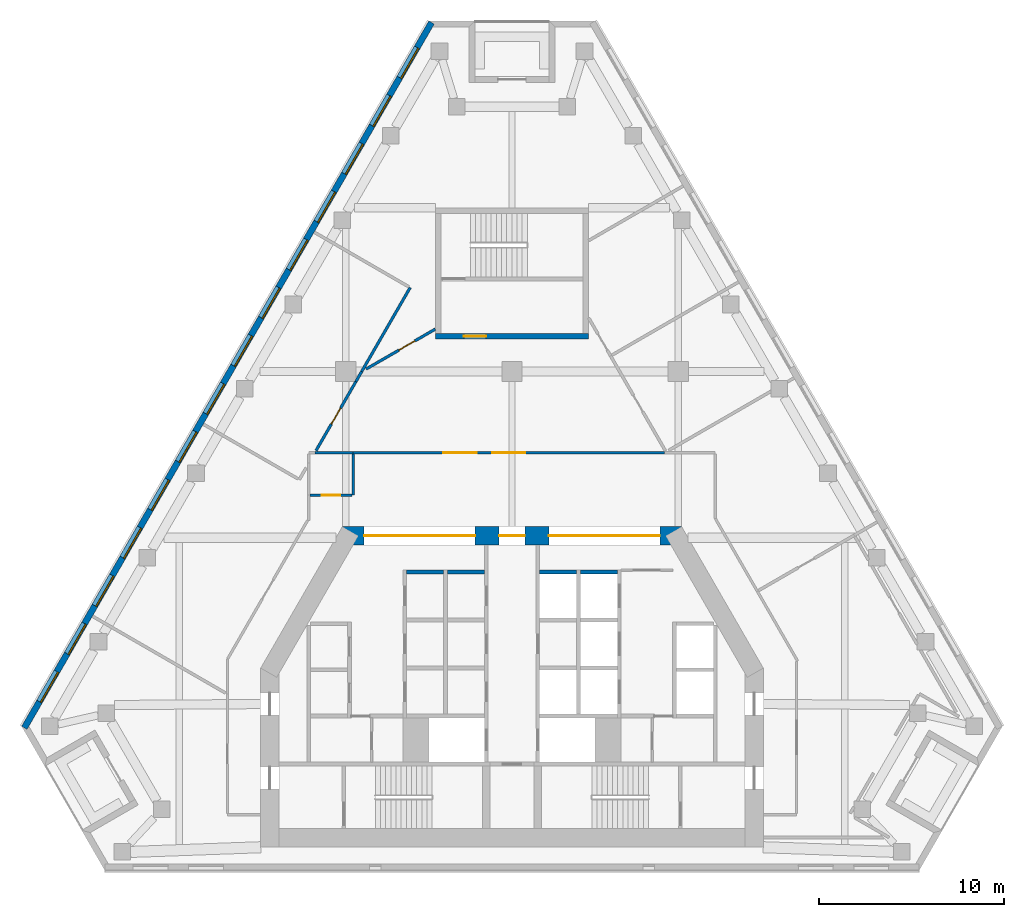
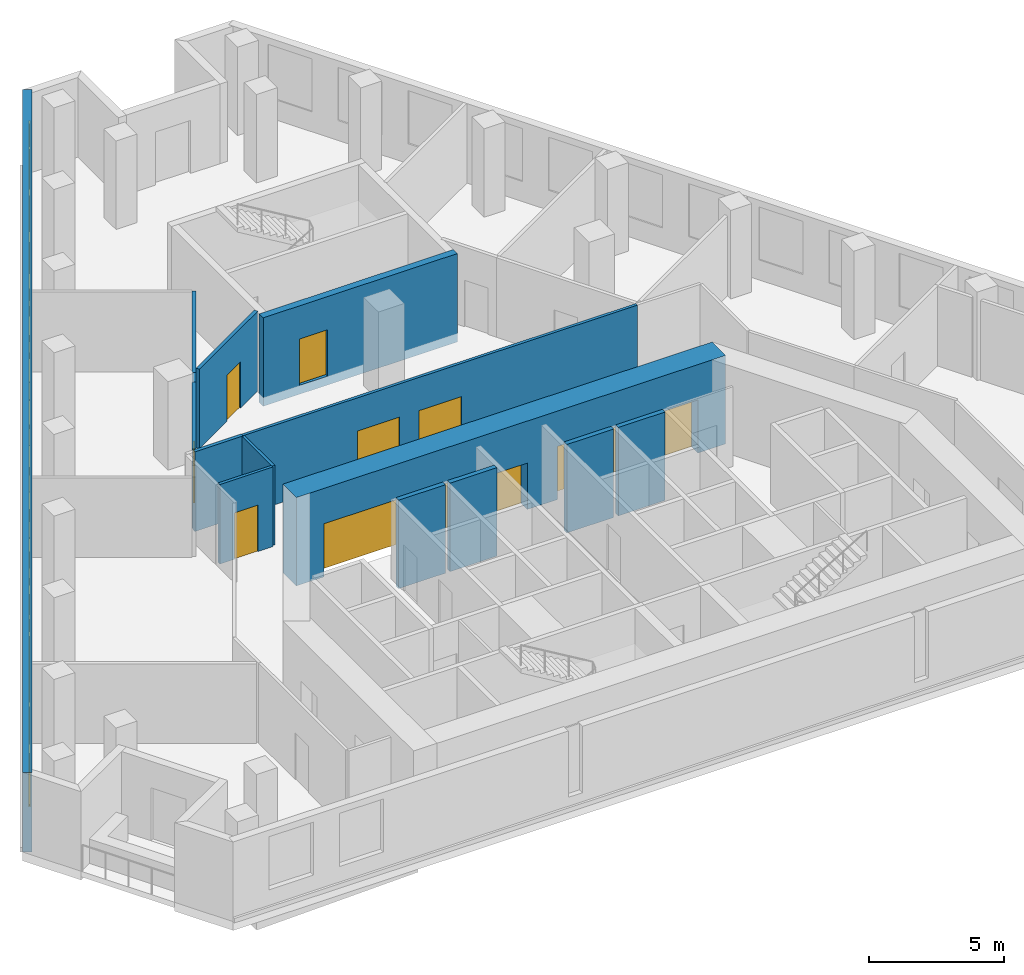
# One storey, part 4 of 8: 15 walls, 14 windows, 9 doors, 23 openings.
"""IFC4 building model written with IfcOpenShell, lengths in metres."""

from ifc_helpers import new_model, si_unit, direction, frame, frame_2d, origin, place, context, subcontext, project, spatial, rectangle, extrude, material, layer, layer_set, type_object, element, fill, save


model = new_model("IFC4")

# Units and contexts
model_context = context("Model", 3, precision=1e-05, world=origin(), true_north=direction((0.0, 1.0)))
body_context = subcontext(model_context, "Body", "Model", "MODEL_VIEW")
ifc_project = project(units=[si_unit("LENGTHUNIT", "METRE"), si_unit("AREAUNIT", "SQUARE_METRE"), si_unit("VOLUMEUNIT", "CUBIC_METRE"), si_unit("PLANEANGLEUNIT", "RADIAN"), si_unit("MASSUNIT", "GRAM", prefix="KILO")], contexts=[model_context])

# Site, building, storey
site_placement = place(None, origin())
site = spatial("IfcSite", under=ifc_project, at=site_placement, CompositionType="ELEMENT")
building_placement = place(site_placement, origin())
building = spatial("IfcBuilding", under=site, at=building_placement, Name="Fogline Exchange Tower", CompositionType="ELEMENT")
storey_placement = place(building_placement, frame((0.0, 0.0, 239.5)))
storey = spatial("IfcBuildingStorey", under=building, at=storey_placement, Name="L54", CompositionType="ELEMENT", Elevation=239.5)

# Walls
ifc_material_1 = material(Name="Concrete C40", Category="concrete")
ifc_layer_1 = layer(ifc_material_1, 0.199951171875)
ifc_layer_set_1 = layer_set([ifc_layer_1], Name="CW20S")
wall_type_1 = type_object("IfcWallType", Name="CW20S", PredefinedType="SOLIDWALL", material=ifc_layer_set_1)
for number, where, z_axis, x_axis, name in (
    (1, (-5.699951171875, 16.14990234375, -0.39990234375), (0.0, 0.0, 1.0), (1.0, 0.0, 0.0), "Lift shaft wall"),
    (2, (-3.5, 16.14990234375, -0.39990234375), (0.0, 0.0, 1.0), (1.0, 0.0, 0.0), "Lift shaft wall"),
    (3, (3.699951171875, 16.14990234375, -0.39990234375), (0.0, 0.0, 1.0), (1.0, 0.0, 0.0), "Lift shaft wall"),
    (4, (1.5, 16.14990234375, -0.39990234375), (0.0, 0.0, 1.0), (1.0, 0.0, 0.0), "Lift shaft wall"),
):
    element("IfcWall", number, at=place(storey_placement, frame(where, z_axis=z_axis, x_axis=x_axis)), inside=storey, type_object=wall_type_1, Name=name, PredefinedType="SOLIDWALL", context=body_context, shape_type="SweptSolid", body=[
        extrude(rectangle(XDim=2.0, YDim=0.199951171875, at=frame_2d((1.0, 0.0))), origin(), (0.0, 0.0, 1.0), 4.0),
    ])

# Wall, opening, door
ifc_layer_2 = layer(ifc_material_1, 0.300048828125)
ifc_layer_set_2 = layer_set([ifc_layer_2], Name="CW30")
wall_type_2 = type_object("IfcWallType", Name="CW30", PredefinedType="SOLIDWALL", material=ifc_layer_set_2)
wall_1_placement = place(storey_placement, frame((-4.14990234375, 28.906982421875, -0.39990234375), z_axis=(0.0, 0.0, 1.0), x_axis=(1.0, 0.0, 0.0)))
wall_1 = element("IfcWall", 5, at=wall_1_placement, inside=storey, type_object=wall_type_2, Name="Stair enclosure wall ST3", PredefinedType="SOLIDWALL", context=body_context, shape_type="SweptSolid", body=[
    extrude(rectangle(XDim=8.2998046875, YDim=0.300048828125, at=frame_2d((4.14990234375, 0.0))), origin(), (0.0, 0.0, 1.0), 4.0),
])
opening_1_placement = place(wall_1_placement, frame((1.550048828125, 0.0, 0.39990234375)))
opening_1 = element("IfcOpeningElement", 6, at=opening_1_placement, cuts=wall_1, Name="Opening T17-C025", PredefinedType="OPENING", context=body_context, shape_type="SweptSolid", body=[
    extrude(rectangle(XDim=1.199951171875, YDim=2.10009765625, at=frame_2d((0.60009765625, 1.050048828125))), frame((0.0, 0.16015625, 0.0), z_axis=(0.0, -1.0, 0.0), x_axis=(1.0, 0.0, 0.0)), (0.0, 0.0, 1.0), 0.320068359375),
])
ifc_material_2 = material(Name="Steel and timber fire door", Category="steel")
door_type_1 = type_object("IfcDoorType", Name="D-FR1", OperationType="SINGLE_SWING_RIGHT", PredefinedType="DOOR", material=ifc_material_2)
door_1_placement = place(opening_1_placement, origin())
door_1 = element("IfcDoor", 7, at=door_1_placement, inside=storey, type_object=door_type_1, Name="Front room door ST3", OperationType="SINGLE_SWING_LEFT", OverallHeight=2.10009765625, OverallWidth=1.199951171875, PredefinedType="DOOR", context=body_context, shape_type="SweptSolid", body=[
    extrude(rectangle(XDim=1.199951171875, YDim=2.10009765625, at=frame_2d((0.60009765625, 1.050048828125))), frame((0.0, 0.02490234375, 0.0), z_axis=(0.0, -1.0, 0.0), x_axis=(1.0, 0.0, 0.0)), (0.0, 0.0, 1.0), 0.050048828125),
])
fill(opening_1, door_1)

# Wall, openings, windows
ifc_material_3 = material(Name="Brick masonry", Category="masonry")
ifc_layer_3 = layer(ifc_material_3, 0.340087890625)
ifc_layer_set_3 = layer_set([ifc_layer_3], Name="FW1")
wall_type_3 = type_object("IfcWallType", Name="FW1", PredefinedType="SOLIDWALL", material=ifc_layer_set_3)
wall_2_placement = place(storey_placement, frame((-4.352783203125, 45.88671875, 0.0), z_axis=(0.0, 0.0, 1.0), x_axis=(-0.499999383836, -0.866025759527, 0.0)))
wall_2 = element("IfcWall", 8, at=wall_2_placement, inside=storey, type_object=wall_type_3, Name="Brick wall L54 W", PredefinedType="SOLIDWALL", context=body_context, shape_type="SweptSolid", body=[
    extrude(rectangle(XDim=44.08349609375, YDim=0.340087890625, at=frame_2d((22.041748046875, 0.0))), origin(), (0.0, 0.0, 1.0), 3.60009765625),
])
opening_2_placement = place(wall_2_placement, frame((1.5625, 0.0, 0.89990234375)))
opening_2 = element("IfcOpeningElement", 9, at=opening_2_placement, cuts=wall_2, Name="Opening W1", PredefinedType="OPENING", context=body_context, shape_type="SweptSolid", body=[
    extrude(rectangle(XDim=1.885009765625, YDim=2.39990234375, at=frame_2d((0.9423828125, 1.199951171875))), frame((0.0, 0.18017578125, 0.0), z_axis=(0.0, -1.0, 0.0), x_axis=(1.0, 0.0, 0.0)), (0.0, 0.0, 1.0), 0.360107421875),
])
opening_3_placement = place(wall_2_placement, frame((4.5625, 0.0, 0.89990234375)))
opening_3 = element("IfcOpeningElement", 10, at=opening_3_placement, cuts=wall_2, Name="Opening W1", PredefinedType="OPENING", context=body_context, shape_type="SweptSolid", body=[
    extrude(rectangle(XDim=1.885009765625, YDim=2.39990234375, at=frame_2d((0.9423828125, 1.199951171875))), frame((0.0, 0.18017578125, 0.0), z_axis=(0.0, -1.0, 0.0), x_axis=(1.0, 0.0, 0.0)), (0.0, 0.0, 1.0), 0.360107421875),
])
opening_4_placement = place(wall_2_placement, frame((7.5625, 0.0, 0.89990234375)))
opening_4 = element("IfcOpeningElement", 11, at=opening_4_placement, cuts=wall_2, Name="Opening W1", PredefinedType="OPENING", context=body_context, shape_type="SweptSolid", body=[
    extrude(rectangle(XDim=1.885009765625, YDim=2.39990234375, at=frame_2d((0.9423828125, 1.199951171875))), frame((0.0, 0.18017578125, 0.0), z_axis=(0.0, -1.0, 0.0), x_axis=(1.0, 0.0, 0.0)), (0.0, 0.0, 1.0), 0.360107421875),
])
opening_5_placement = place(wall_2_placement, frame((10.5625, 0.0, 0.89990234375)))
opening_5 = element("IfcOpeningElement", 12, at=opening_5_placement, cuts=wall_2, Name="Opening W1", PredefinedType="OPENING", context=body_context, shape_type="SweptSolid", body=[
    extrude(rectangle(XDim=1.885009765625, YDim=2.39990234375, at=frame_2d((0.9423828125, 1.199951171875))), frame((0.0, 0.18017578125, 0.0), z_axis=(0.0, -1.0, 0.0), x_axis=(1.0, 0.0, 0.0)), (0.0, 0.0, 1.0), 0.360107421875),
])
opening_6_placement = place(wall_2_placement, frame((13.5625, 0.0, 0.89990234375)))
opening_6 = element("IfcOpeningElement", 13, at=opening_6_placement, cuts=wall_2, Name="Opening W1", PredefinedType="OPENING", context=body_context, shape_type="SweptSolid", body=[
    extrude(rectangle(XDim=1.885009765625, YDim=2.39990234375, at=frame_2d((0.9423828125, 1.199951171875))), frame((0.0, 0.18017578125, 0.0), z_axis=(0.0, -1.0, 0.0), x_axis=(1.0, 0.0, 0.0)), (0.0, 0.0, 1.0), 0.360107421875),
])
opening_7_placement = place(wall_2_placement, frame((16.5625, 0.0, 0.89990234375)))
opening_7 = element("IfcOpeningElement", 14, at=opening_7_placement, cuts=wall_2, Name="Opening W1", PredefinedType="OPENING", context=body_context, shape_type="SweptSolid", body=[
    extrude(rectangle(XDim=1.885009765625, YDim=2.39990234375, at=frame_2d((0.9423828125, 1.199951171875))), frame((0.0, 0.18017578125, 0.0), z_axis=(0.0, -1.0, 0.0), x_axis=(1.0, 0.0, 0.0)), (0.0, 0.0, 1.0), 0.360107421875),
])
opening_8_placement = place(wall_2_placement, frame((19.5625, 0.0, 0.89990234375)))
opening_8 = element("IfcOpeningElement", 15, at=opening_8_placement, cuts=wall_2, Name="Opening W1", PredefinedType="OPENING", context=body_context, shape_type="SweptSolid", body=[
    extrude(rectangle(XDim=1.885009765625, YDim=2.39990234375, at=frame_2d((0.9423828125, 1.199951171875))), frame((0.0, 0.18017578125, 0.0), z_axis=(0.0, -1.0, 0.0), x_axis=(1.0, 0.0, 0.0)), (0.0, 0.0, 1.0), 0.360107421875),
])
opening_9_placement = place(wall_2_placement, frame((22.5625, 0.0, 0.89990234375)))
opening_9 = element("IfcOpeningElement", 16, at=opening_9_placement, cuts=wall_2, Name="Opening W1", PredefinedType="OPENING", context=body_context, shape_type="SweptSolid", body=[
    extrude(rectangle(XDim=1.885009765625, YDim=2.39990234375, at=frame_2d((0.9423828125, 1.199951171875))), frame((0.0, 0.18017578125, 0.0), z_axis=(0.0, -1.0, 0.0), x_axis=(1.0, 0.0, 0.0)), (0.0, 0.0, 1.0), 0.360107421875),
])
opening_10_placement = place(wall_2_placement, frame((25.5625, 0.0, 0.89990234375)))
opening_10 = element("IfcOpeningElement", 17, at=opening_10_placement, cuts=wall_2, Name="Opening W1", PredefinedType="OPENING", context=body_context, shape_type="SweptSolid", body=[
    extrude(rectangle(XDim=1.885009765625, YDim=2.39990234375, at=frame_2d((0.9423828125, 1.199951171875))), frame((0.0, 0.18017578125, 0.0), z_axis=(0.0, -1.0, 0.0), x_axis=(1.0, 0.0, 0.0)), (0.0, 0.0, 1.0), 0.360107421875),
])
opening_11_placement = place(wall_2_placement, frame((28.5625, 0.0, 0.89990234375)))
opening_11 = element("IfcOpeningElement", 18, at=opening_11_placement, cuts=wall_2, Name="Opening W1", PredefinedType="OPENING", context=body_context, shape_type="SweptSolid", body=[
    extrude(rectangle(XDim=1.885009765625, YDim=2.39990234375, at=frame_2d((0.9423828125, 1.199951171875))), frame((0.0, 0.18017578125, 0.0), z_axis=(0.0, -1.0, 0.0), x_axis=(1.0, 0.0, 0.0)), (0.0, 0.0, 1.0), 0.360107421875),
])
opening_12_placement = place(wall_2_placement, frame((31.5625, 0.0, 0.89990234375)))
opening_12 = element("IfcOpeningElement", 19, at=opening_12_placement, cuts=wall_2, Name="Opening W1", PredefinedType="OPENING", context=body_context, shape_type="SweptSolid", body=[
    extrude(rectangle(XDim=1.885009765625, YDim=2.39990234375, at=frame_2d((0.9423828125, 1.199951171875))), frame((0.0, 0.18017578125, 0.0), z_axis=(0.0, -1.0, 0.0), x_axis=(1.0, 0.0, 0.0)), (0.0, 0.0, 1.0), 0.360107421875),
])
opening_13_placement = place(wall_2_placement, frame((34.5625, 0.0, 0.89990234375)))
opening_13 = element("IfcOpeningElement", 20, at=opening_13_placement, cuts=wall_2, Name="Opening W1", PredefinedType="OPENING", context=body_context, shape_type="SweptSolid", body=[
    extrude(rectangle(XDim=1.885009765625, YDim=2.39990234375, at=frame_2d((0.9423828125, 1.199951171875))), frame((0.0, 0.18017578125, 0.0), z_axis=(0.0, -1.0, 0.0), x_axis=(1.0, 0.0, 0.0)), (0.0, 0.0, 1.0), 0.360107421875),
])
opening_14_placement = place(wall_2_placement, frame((37.5625, 0.0, 0.89990234375)))
opening_14 = element("IfcOpeningElement", 21, at=opening_14_placement, cuts=wall_2, Name="Opening W1", PredefinedType="OPENING", context=body_context, shape_type="SweptSolid", body=[
    extrude(rectangle(XDim=1.885009765625, YDim=2.39990234375, at=frame_2d((0.9423828125, 1.199951171875))), frame((0.0, 0.18017578125, 0.0), z_axis=(0.0, -1.0, 0.0), x_axis=(1.0, 0.0, 0.0)), (0.0, 0.0, 1.0), 0.360107421875),
])
opening_15_placement = place(wall_2_placement, frame((40.5625, 0.0, 0.89990234375)))
opening_15 = element("IfcOpeningElement", 22, at=opening_15_placement, cuts=wall_2, Name="Opening W1", PredefinedType="OPENING", context=body_context, shape_type="SweptSolid", body=[
    extrude(rectangle(XDim=1.885009765625, YDim=2.39990234375, at=frame_2d((0.9423828125, 1.199951171875))), frame((0.0, 0.18017578125, 0.0), z_axis=(0.0, -1.0, 0.0), x_axis=(1.0, 0.0, 0.0)), (0.0, 0.0, 1.0), 0.360107421875),
])
ifc_material_4 = material(Name="Aluminium and glass", Category="aluminium")
window_type = type_object("IfcWindowType", Name="W1", PartitioningType="SINGLE_PANEL", PredefinedType="WINDOW", material=ifc_material_4)
window_1_placement = place(opening_2_placement, origin())
window_1 = element("IfcWindow", 23, at=window_1_placement, inside=storey, type_object=window_type, Name="W1 W1", OverallHeight=2.39990234375, OverallWidth=1.885009765625, PartitioningType="SINGLE_PANEL", PredefinedType="WINDOW", context=body_context, shape_type="SweptSolid", body=[
    extrude(rectangle(XDim=1.885009765625, YDim=2.39990234375, at=frame_2d((0.9423828125, 1.199951171875))), frame((0.0, 0.110107421875, 0.0), z_axis=(0.0, -1.0, 0.0), x_axis=(1.0, 0.0, 0.0)), (0.0, 0.0, 1.0), 0.06005859375),
])
fill(opening_2, window_1)
window_2_placement = place(opening_3_placement, origin())
window_2 = element("IfcWindow", 24, at=window_2_placement, inside=storey, type_object=window_type, Name="W1 W1", OverallHeight=2.39990234375, OverallWidth=1.885009765625, PartitioningType="SINGLE_PANEL", PredefinedType="WINDOW", context=body_context, shape_type="SweptSolid", body=[
    extrude(rectangle(XDim=1.885009765625, YDim=2.39990234375, at=frame_2d((0.9423828125, 1.199951171875))), frame((0.0, 0.110107421875, 0.0), z_axis=(0.0, -1.0, 0.0), x_axis=(1.0, 0.0, 0.0)), (0.0, 0.0, 1.0), 0.06005859375),
])
fill(opening_3, window_2)
window_3_placement = place(opening_4_placement, origin())
window_3 = element("IfcWindow", 25, at=window_3_placement, inside=storey, type_object=window_type, Name="W1 W1", OverallHeight=2.39990234375, OverallWidth=1.885009765625, PartitioningType="SINGLE_PANEL", PredefinedType="WINDOW", context=body_context, shape_type="SweptSolid", body=[
    extrude(rectangle(XDim=1.885009765625, YDim=2.39990234375, at=frame_2d((0.9423828125, 1.199951171875))), frame((0.0, 0.110107421875, 0.0), z_axis=(0.0, -1.0, 0.0), x_axis=(1.0, 0.0, 0.0)), (0.0, 0.0, 1.0), 0.06005859375),
])
fill(opening_4, window_3)
window_4_placement = place(opening_5_placement, origin())
window_4 = element("IfcWindow", 26, at=window_4_placement, inside=storey, type_object=window_type, Name="W1 W1", OverallHeight=2.39990234375, OverallWidth=1.885009765625, PartitioningType="SINGLE_PANEL", PredefinedType="WINDOW", context=body_context, shape_type="SweptSolid", body=[
    extrude(rectangle(XDim=1.885009765625, YDim=2.39990234375, at=frame_2d((0.9423828125, 1.199951171875))), frame((0.0, 0.110107421875, 0.0), z_axis=(0.0, -1.0, 0.0), x_axis=(1.0, 0.0, 0.0)), (0.0, 0.0, 1.0), 0.06005859375),
])
fill(opening_5, window_4)
window_5_placement = place(opening_6_placement, origin())
window_5 = element("IfcWindow", 27, at=window_5_placement, inside=storey, type_object=window_type, Name="W1 W1", OverallHeight=2.39990234375, OverallWidth=1.885009765625, PartitioningType="SINGLE_PANEL", PredefinedType="WINDOW", context=body_context, shape_type="SweptSolid", body=[
    extrude(rectangle(XDim=1.885009765625, YDim=2.39990234375, at=frame_2d((0.9423828125, 1.199951171875))), frame((0.0, 0.110107421875, 0.0), z_axis=(0.0, -1.0, 0.0), x_axis=(1.0, 0.0, 0.0)), (0.0, 0.0, 1.0), 0.06005859375),
])
fill(opening_6, window_5)
window_6_placement = place(opening_7_placement, origin())
window_6 = element("IfcWindow", 28, at=window_6_placement, inside=storey, type_object=window_type, Name="W1 W1", OverallHeight=2.39990234375, OverallWidth=1.885009765625, PartitioningType="SINGLE_PANEL", PredefinedType="WINDOW", context=body_context, shape_type="SweptSolid", body=[
    extrude(rectangle(XDim=1.885009765625, YDim=2.39990234375, at=frame_2d((0.9423828125, 1.199951171875))), frame((0.0, 0.110107421875, 0.0), z_axis=(0.0, -1.0, 0.0), x_axis=(1.0, 0.0, 0.0)), (0.0, 0.0, 1.0), 0.06005859375),
])
fill(opening_7, window_6)
window_7_placement = place(opening_8_placement, origin())
window_7 = element("IfcWindow", 29, at=window_7_placement, inside=storey, type_object=window_type, Name="W1 W1", OverallHeight=2.39990234375, OverallWidth=1.885009765625, PartitioningType="SINGLE_PANEL", PredefinedType="WINDOW", context=body_context, shape_type="SweptSolid", body=[
    extrude(rectangle(XDim=1.885009765625, YDim=2.39990234375, at=frame_2d((0.9423828125, 1.199951171875))), frame((0.0, 0.110107421875, 0.0), z_axis=(0.0, -1.0, 0.0), x_axis=(1.0, 0.0, 0.0)), (0.0, 0.0, 1.0), 0.06005859375),
])
fill(opening_8, window_7)
window_8_placement = place(opening_9_placement, origin())
window_8 = element("IfcWindow", 30, at=window_8_placement, inside=storey, type_object=window_type, Name="W1 W1", OverallHeight=2.39990234375, OverallWidth=1.885009765625, PartitioningType="SINGLE_PANEL", PredefinedType="WINDOW", context=body_context, shape_type="SweptSolid", body=[
    extrude(rectangle(XDim=1.885009765625, YDim=2.39990234375, at=frame_2d((0.9423828125, 1.199951171875))), frame((0.0, 0.110107421875, 0.0), z_axis=(0.0, -1.0, 0.0), x_axis=(1.0, 0.0, 0.0)), (0.0, 0.0, 1.0), 0.06005859375),
])
fill(opening_9, window_8)
window_9_placement = place(opening_10_placement, origin())
window_9 = element("IfcWindow", 31, at=window_9_placement, inside=storey, type_object=window_type, Name="W1 W1", OverallHeight=2.39990234375, OverallWidth=1.885009765625, PartitioningType="SINGLE_PANEL", PredefinedType="WINDOW", context=body_context, shape_type="SweptSolid", body=[
    extrude(rectangle(XDim=1.885009765625, YDim=2.39990234375, at=frame_2d((0.9423828125, 1.199951171875))), frame((0.0, 0.110107421875, 0.0), z_axis=(0.0, -1.0, 0.0), x_axis=(1.0, 0.0, 0.0)), (0.0, 0.0, 1.0), 0.06005859375),
])
fill(opening_10, window_9)
window_10_placement = place(opening_11_placement, origin())
window_10 = element("IfcWindow", 32, at=window_10_placement, inside=storey, type_object=window_type, Name="W1 W1", OverallHeight=2.39990234375, OverallWidth=1.885009765625, PartitioningType="SINGLE_PANEL", PredefinedType="WINDOW", context=body_context, shape_type="SweptSolid", body=[
    extrude(rectangle(XDim=1.885009765625, YDim=2.39990234375, at=frame_2d((0.9423828125, 1.199951171875))), frame((0.0, 0.110107421875, 0.0), z_axis=(0.0, -1.0, 0.0), x_axis=(1.0, 0.0, 0.0)), (0.0, 0.0, 1.0), 0.06005859375),
])
fill(opening_11, window_10)
window_11_placement = place(opening_12_placement, origin())
window_11 = element("IfcWindow", 33, at=window_11_placement, inside=storey, type_object=window_type, Name="W1 W1", OverallHeight=2.39990234375, OverallWidth=1.885009765625, PartitioningType="SINGLE_PANEL", PredefinedType="WINDOW", context=body_context, shape_type="SweptSolid", body=[
    extrude(rectangle(XDim=1.885009765625, YDim=2.39990234375, at=frame_2d((0.9423828125, 1.199951171875))), frame((0.0, 0.110107421875, 0.0), z_axis=(0.0, -1.0, 0.0), x_axis=(1.0, 0.0, 0.0)), (0.0, 0.0, 1.0), 0.06005859375),
])
fill(opening_12, window_11)
window_12_placement = place(opening_13_placement, origin())
window_12 = element("IfcWindow", 34, at=window_12_placement, inside=storey, type_object=window_type, Name="W1 W1", OverallHeight=2.39990234375, OverallWidth=1.885009765625, PartitioningType="SINGLE_PANEL", PredefinedType="WINDOW", context=body_context, shape_type="SweptSolid", body=[
    extrude(rectangle(XDim=1.885009765625, YDim=2.39990234375, at=frame_2d((0.9423828125, 1.199951171875))), frame((0.0, 0.110107421875, 0.0), z_axis=(0.0, -1.0, 0.0), x_axis=(1.0, 0.0, 0.0)), (0.0, 0.0, 1.0), 0.06005859375),
])
fill(opening_13, window_12)
window_13_placement = place(opening_14_placement, origin())
window_13 = element("IfcWindow", 35, at=window_13_placement, inside=storey, type_object=window_type, Name="W1 W1", OverallHeight=2.39990234375, OverallWidth=1.885009765625, PartitioningType="SINGLE_PANEL", PredefinedType="WINDOW", context=body_context, shape_type="SweptSolid", body=[
    extrude(rectangle(XDim=1.885009765625, YDim=2.39990234375, at=frame_2d((0.9423828125, 1.199951171875))), frame((0.0, 0.110107421875, 0.0), z_axis=(0.0, -1.0, 0.0), x_axis=(1.0, 0.0, 0.0)), (0.0, 0.0, 1.0), 0.06005859375),
])
fill(opening_14, window_13)
window_14_placement = place(opening_15_placement, origin())
window_14 = element("IfcWindow", 36, at=window_14_placement, inside=storey, type_object=window_type, Name="W1 W1", OverallHeight=2.39990234375, OverallWidth=1.885009765625, PartitioningType="SINGLE_PANEL", PredefinedType="WINDOW", context=body_context, shape_type="SweptSolid", body=[
    extrude(rectangle(XDim=1.885009765625, YDim=2.39990234375, at=frame_2d((0.9423828125, 1.199951171875))), frame((0.0, 0.110107421875, 0.0), z_axis=(0.0, -1.0, 0.0), x_axis=(1.0, 0.0, 0.0)), (0.0, 0.0, 1.0), 0.06005859375),
])
fill(opening_15, window_14)

# Wall, openings, doors
ifc_material_5 = material(Name="Plasterboard corridor partition with mineral wool, 2 layers each side")
ifc_layer_4 = layer(ifc_material_5, 0.125)
ifc_layer_set_4 = layer_set([ifc_layer_4], Name="PW2")
wall_type_4 = type_object("IfcWallType", Name="PW2", PredefinedType="PARTITIONING", material=ifc_layer_set_4)
wall_3_placement = place(storey_placement, frame((-8.60009765625, 22.60009765625, 0.0), z_axis=(0.0, 0.0, 1.0), x_axis=(1.0, 0.0, 0.0)))
wall_3 = element("IfcWall", 37, at=wall_3_placement, inside=storey, type_object=wall_type_4, Name="wall-L54-W007", PredefinedType="PARTITIONING", context=body_context, shape_type="SweptSolid", body=[
    extrude(rectangle(XDim=16.859375, YDim=0.125, at=frame_2d((8.4296875, 0.0))), origin(), (0.0, 0.0, 1.0), 3.60009765625),
])
opening_16_placement = place(wall_3_placement, frame((4.882568359375, 0.0, 0.0)))
opening_16 = element("IfcOpeningElement", 38, at=opening_16_placement, cuts=wall_3, Name="Opening T17-D002", PredefinedType="OPENING", context=body_context, shape_type="SweptSolid", body=[
    extrude(rectangle(XDim=1.800048828125, YDim=2.10009765625, at=frame_2d((0.89990234375, 1.050048828125))), frame((0.0, 0.072509765625, 0.0), z_axis=(0.0, -1.0, 0.0), x_axis=(1.0, 0.0, 0.0)), (0.0, 0.0, 1.0), 0.14501953125),
])
opening_17_placement = place(wall_3_placement, frame((7.529541015625, 0.0, 0.0)))
opening_17 = element("IfcOpeningElement", 39, at=opening_17_placement, cuts=wall_3, Name="Opening T17-D003", PredefinedType="OPENING", context=body_context, shape_type="SweptSolid", body=[
    extrude(rectangle(XDim=1.800048828125, YDim=2.10009765625, at=frame_2d((0.89990234375, 1.050048828125))), frame((0.0, 0.072509765625, 0.0), z_axis=(0.0, -1.0, 0.0), x_axis=(1.0, 0.0, 0.0)), (0.0, 0.0, 1.0), 0.14501953125),
])
ifc_material_6 = material(Name="Fire-rated timber door leaves with steel frame", Category="steel")
door_type_2 = type_object("IfcDoorType", Name="D4", OperationType="DOUBLE_DOOR_SINGLE_SWING", PredefinedType="DOOR", material=ifc_material_6)
door_2_placement = place(opening_16_placement, frame((1.800048828125, 0.0, 0.0), z_axis=(0.0, 0.0, 1.0), x_axis=(-1.0, 0.0, 0.0)))
door_2 = element("IfcDoor", 40, at=door_2_placement, inside=storey, type_object=door_type_2, Name="door-L54-D002", OperationType="DOUBLE_DOOR_SINGLE_SWING", OverallHeight=2.10009765625, OverallWidth=1.800048828125, PredefinedType="DOOR", context=body_context, shape_type="SweptSolid", body=[
    extrude(rectangle(XDim=1.800048828125, YDim=2.10009765625, at=frame_2d((0.89990234375, 1.050048828125))), frame((0.0, 0.02490234375, 0.0), z_axis=(0.0, -1.0, 0.0), x_axis=(1.0, 0.0, 0.0)), (0.0, 0.0, 1.0), 0.050048828125),
])
fill(opening_16, door_2)
door_3_placement = place(opening_17_placement, frame((1.800048828125, 0.0, 0.0), z_axis=(0.0, 0.0, 1.0), x_axis=(-1.0, 0.0, 0.0)))
door_3 = element("IfcDoor", 41, at=door_3_placement, inside=storey, type_object=door_type_2, Name="door-L54-D003", OperationType="DOUBLE_DOOR_SINGLE_SWING", OverallHeight=2.10009765625, OverallWidth=1.800048828125, PredefinedType="DOOR", context=body_context, shape_type="SweptSolid", body=[
    extrude(rectangle(XDim=1.800048828125, YDim=2.10009765625, at=frame_2d((0.89990234375, 1.050048828125))), frame((0.0, 0.02490234375, 0.0), z_axis=(0.0, -1.0, 0.0), x_axis=(1.0, 0.0, 0.0)), (0.0, 0.0, 1.0), 0.050048828125),
])
fill(opening_17, door_3)

# Wall, opening, door
wall_4_placement = place(storey_placement, frame((-10.925048828125, 20.300048828125, 0.0), z_axis=(0.0, 0.0, 1.0), x_axis=(1.0, 0.0, 0.0)))
wall_4 = element("IfcWall", 42, at=wall_4_placement, inside=storey, type_object=wall_type_4, Name="wall-L54-W008", PredefinedType="PARTITIONING", context=body_context, shape_type="SweptSolid", body=[
    extrude(rectangle(XDim=2.262451171875, YDim=0.125, at=frame_2d((1.13134765625, 0.0))), origin(), (0.0, 0.0, 1.0), 3.60009765625),
])
opening_18_placement = place(wall_4_placement, frame((0.63134765625, 0.0, 0.0)))
opening_18 = element("IfcOpeningElement", 43, at=opening_18_placement, cuts=wall_4, Name="Opening T17-D004", PredefinedType="OPENING", context=body_context, shape_type="SweptSolid", body=[
    extrude(rectangle(XDim=1.0, YDim=2.10009765625, at=frame_2d((0.5, 1.050048828125))), frame((0.0, 0.072509765625, 0.0), z_axis=(0.0, -1.0, 0.0), x_axis=(1.0, 0.0, 0.0)), (0.0, 0.0, 1.0), 0.14501953125),
])
ifc_material_7 = material(Name="Fire-rated timber door leaf with steel frame", Category="steel")
door_type_3 = type_object("IfcDoorType", Name="D3", OperationType="SINGLE_SWING_LEFT", PredefinedType="DOOR", material=ifc_material_7)
door_4_placement = place(opening_18_placement, origin())
door_4 = element("IfcDoor", 44, at=door_4_placement, inside=storey, type_object=door_type_3, Name="door-L54-D004", OperationType="SINGLE_SWING_LEFT", OverallHeight=2.10009765625, OverallWidth=1.0, PredefinedType="DOOR", context=body_context, shape_type="SweptSolid", body=[
    extrude(rectangle(XDim=1.0, YDim=2.10009765625, at=frame_2d((0.5, 1.050048828125))), frame((0.0, 0.02490234375, 0.0), z_axis=(0.0, -1.0, 0.0), x_axis=(1.0, 0.0, 0.0)), (0.0, 0.0, 1.0), 0.050048828125),
])
fill(opening_18, door_4)

# Wall
wall_5_placement = place(storey_placement, frame((-8.60009765625, 20.300048828125, 0.0), z_axis=(0.0, 0.0, 1.0), x_axis=(0.0, 1.0, 0.0)))
element("IfcWall", 45, at=wall_5_placement, inside=storey, type_object=wall_type_4, Name="wall-L54-W009", PredefinedType="PARTITIONING", context=body_context, shape_type="SweptSolid", body=[
    extrude(rectangle(XDim=2.224365234375, YDim=0.125, at=frame_2d((1.1123046875, 0.0))), origin(), (0.0, 0.0, 1.0), 3.60009765625),
])

# Wall, opening, door
ifc_material_8 = material(Name="Plasterboard demising partition with mineral wool and acoustic board")
ifc_layer_5 = layer(ifc_material_8, 0.14990234375)
ifc_layer_set_5 = layer_set([ifc_layer_5], Name="PW3")
wall_type_5 = type_object("IfcWallType", Name="PW3", PredefinedType="PARTITIONING", material=ifc_layer_set_5)
wall_6_placement = place(storey_placement, frame((-4.14990234375, 29.2919921875, 0.0), z_axis=(0.0, 0.0, 1.0), x_axis=(-0.866022044088, -0.50000581912, 0.0)))
wall_6 = element("IfcWall", 46, at=wall_6_placement, inside=storey, type_object=wall_type_5, Name="wall-L54-W023", PredefinedType="PARTITIONING", context=body_context, shape_type="SweptSolid", body=[
    extrude(rectangle(XDim=4.32568359375, YDim=0.14990234375, at=frame_2d((2.162841796875, 0.0))), origin(), (0.0, 0.0, 1.0), 3.60009765625),
])
opening_19_placement = place(wall_6_placement, frame((1.277587890625, 0.0, 0.0)))
opening_19 = element("IfcOpeningElement", 47, at=opening_19_placement, cuts=wall_6, Name="Opening T17-D010", PredefinedType="OPENING", context=body_context, shape_type="SweptSolid", body=[
    extrude(rectangle(XDim=1.0, YDim=2.10009765625, at=frame_2d((0.5, 1.050048828125))), frame((0.0, 0.0849609375, 0.0), z_axis=(0.0, -1.0, 0.0), x_axis=(1.0, 0.0, 0.0)), (0.0, 0.0, 1.0), 0.169921875),
])
door_5_placement = place(opening_19_placement, frame((1.0, 0.0, 0.0), z_axis=(0.0, 0.0, 1.0), x_axis=(-1.0, 0.0, 0.0)))
door_5 = element("IfcDoor", 48, at=door_5_placement, inside=storey, type_object=door_type_3, Name="door-L54-D010", OperationType="SINGLE_SWING_RIGHT", OverallHeight=2.10009765625, OverallWidth=1.0, PredefinedType="DOOR", context=body_context, shape_type="SweptSolid", body=[
    extrude(rectangle(XDim=1.0, YDim=2.10009765625, at=frame_2d((0.5, 1.050048828125))), frame((0.0, 0.02490234375, 0.0), z_axis=(0.0, -1.0, 0.0), x_axis=(1.0, 0.0, 0.0)), (0.0, 0.0, 1.0), 0.050048828125),
])
fill(opening_19, door_5)

# Wall
wall_7_placement = place(storey_placement, frame((-8.138916015625, 26.989013671875, 0.0), z_axis=(0.0, 0.0, 1.0), x_axis=(0.500017439519, 0.866015334839, 0.0)))
element("IfcWall", 49, at=wall_7_placement, inside=storey, type_object=wall_type_5, Name="wall-L54-W024", PredefinedType="PARTITIONING", context=body_context, shape_type="SweptSolid", body=[
    extrude(rectangle(XDim=5.253662109375, YDim=0.14990234375, at=frame_2d((2.626953125, 0.0))), origin(), (0.0, 0.0, 1.0), 3.60009765625),
])

# Wall, opening, door
wall_8_placement = place(storey_placement, frame((-10.607666015625, 22.712890625, 0.0), z_axis=(0.0, 0.0, 1.0), x_axis=(0.50002119175, 0.866013168376, 0.0)))
wall_8 = element("IfcWall", 50, at=wall_8_placement, inside=storey, type_object=wall_type_5, Name="wall-L54-W026", PredefinedType="PARTITIONING", context=body_context, shape_type="SweptSolid", body=[
    extrude(rectangle(XDim=4.315185546875, YDim=0.14990234375, at=frame_2d((2.15771484375, 0.0))), origin(), (0.0, 0.0, 1.0), 3.60009765625),
])
opening_20_placement = place(wall_8_placement, frame((1.65771484375, 0.0, 0.0)))
opening_20 = element("IfcOpeningElement", 51, at=opening_20_placement, cuts=wall_8, Name="Opening T17-D011", PredefinedType="OPENING", context=body_context, shape_type="SweptSolid", body=[
    extrude(rectangle(XDim=1.0, YDim=2.10009765625, at=frame_2d((0.5, 1.050048828125))), frame((0.0, 0.0849609375, 0.0), z_axis=(0.0, -1.0, 0.0), x_axis=(1.0, 0.0, 0.0)), (0.0, 0.0, 1.0), 0.169921875),
])
door_6_placement = place(opening_20_placement, origin())
door_6 = element("IfcDoor", 52, at=door_6_placement, inside=storey, type_object=door_type_3, Name="door-L54-D011", OperationType="SINGLE_SWING_RIGHT", OverallHeight=2.10009765625, OverallWidth=1.0, PredefinedType="DOOR", context=body_context, shape_type="SweptSolid", body=[
    extrude(rectangle(XDim=1.0, YDim=2.10009765625, at=frame_2d((0.5, 1.050048828125))), frame((0.0, 0.02490234375, 0.0), z_axis=(0.0, -1.0, 0.0), x_axis=(1.0, 0.0, 0.0)), (0.0, 0.0, 1.0), 0.050048828125),
])
fill(opening_20, door_6)

# Walls
wall_9_placement = place(storey_placement, frame((-8.449951171875, 26.4501953125, 0.0), z_axis=(0.0, 0.0, 1.0), x_axis=(0.499937591627, 0.866061432277, 0.0)))
element("IfcWall", 53, at=wall_9_placement, inside=storey, type_object=wall_type_5, Name="wall-L54-W027", PredefinedType="PARTITIONING", context=body_context, shape_type="SweptSolid", body=[
    extrude(rectangle(XDim=0.6220703125, YDim=0.14990234375, at=frame_2d((0.31103515625, 0.0))), origin(), (0.0, 0.0, 1.0), 3.60009765625),
])
wall_10_placement = place(storey_placement, frame((-8.60009765625, 22.60009765625, 0.0), z_axis=(0.0, 0.0, 1.0), x_axis=(-1.0, 0.0, 0.0)))
element("IfcWall", 54, at=wall_10_placement, inside=storey, type_object=wall_type_5, Name="wall-L54-W028", PredefinedType="PARTITIONING", context=body_context, shape_type="SweptSolid", body=[
    extrude(rectangle(XDim=2.07275390625, YDim=0.14990234375, at=frame_2d((1.036376953125, 0.0))), origin(), (0.0, 0.0, 1.0), 3.60009765625),
])

# Wall, openings, doors
ifc_material_9 = material(Name="Concrete C60", Category="concrete")
ifc_layer_6 = layer(ifc_material_9, 1.0)
ifc_layer_set_6 = layer_set([ifc_layer_6], Name="SW03")
wall_type_6 = type_object("IfcWallType", Name="SW03", PredefinedType="SHEAR", material=ifc_layer_set_6)
wall_11_placement = place(storey_placement, frame((9.1806640625, 18.10009765625, 0.0), z_axis=(0.0, 0.0, 1.0), x_axis=(-1.0, 0.0, 0.0)))
wall_11 = element("IfcWall", 55, at=wall_11_placement, inside=storey, type_object=wall_type_6, Name="L54-W904", PredefinedType="SHEAR", context=body_context, shape_type="SweptSolid", body=[
    extrude(rectangle(XDim=18.361328125, YDim=1.0, at=frame_2d((9.1806640625, 0.0))), origin(), (0.0, 0.0, 1.0), 4.0),
])
opening_21_placement = place(wall_11_placement, frame((8.480712890625, 0.0, 0.0)))
opening_21 = element("IfcOpeningElement", 56, at=opening_21_placement, cuts=wall_11, Name="Opening T17-C022", PredefinedType="OPENING", context=body_context, shape_type="SweptSolid", body=[
    extrude(rectangle(XDim=1.39990234375, YDim=2.10009765625, at=frame_2d((0.699951171875, 1.050048828125))), frame((0.0, 0.510009765625, 0.0), z_axis=(0.0, -1.0, 0.0), x_axis=(1.0, 0.0, 0.0)), (0.0, 0.0, 1.0), 1.02001953125),
])
opening_22_placement = place(wall_11_placement, frame((11.1806640625, 0.0, 0.0)))
opening_22 = element("IfcOpeningElement", 57, at=opening_22_placement, cuts=wall_11, Name="Opening T17-C023", PredefinedType="OPENING", context=body_context, shape_type="SweptSolid", body=[
    extrude(rectangle(XDim=6.0, YDim=2.39990234375, at=frame_2d((3.0, 1.199951171875))), frame((0.0, 0.510009765625, 0.0), z_axis=(0.0, -1.0, 0.0), x_axis=(1.0, 0.0, 0.0)), (0.0, 0.0, 1.0), 1.02001953125),
])
opening_23_placement = place(wall_11_placement, frame((1.1806640625, 0.0, 0.0)))
opening_23 = element("IfcOpeningElement", 58, at=opening_23_placement, cuts=wall_11, Name="Opening T17-C024", PredefinedType="OPENING", context=body_context, shape_type="SweptSolid", body=[
    extrude(rectangle(XDim=6.0, YDim=2.39990234375, at=frame_2d((3.0, 1.199951171875))), frame((0.0, 0.510009765625, 0.0), z_axis=(0.0, -1.0, 0.0), x_axis=(1.0, 0.0, 0.0)), (0.0, 0.0, 1.0), 1.02001953125),
])
door_type_4 = type_object("IfcDoorType", Name="D-LB1", OperationType="DOUBLE_DOOR_SINGLE_SWING", PredefinedType="DOOR", material=ifc_material_2)
door_7_placement = place(opening_21_placement, origin())
door_7 = element("IfcDoor", 59, at=door_7_placement, inside=storey, type_object=door_type_4, Name="Protected lobby door", OperationType="DOUBLE_DOOR_SINGLE_SWING", OverallHeight=2.10009765625, OverallWidth=1.39990234375, PredefinedType="DOOR", context=body_context, shape_type="SweptSolid", body=[
    extrude(rectangle(XDim=1.39990234375, YDim=2.10009765625, at=frame_2d((0.699951171875, 1.050048828125))), frame((0.0, 0.02490234375, 0.0), z_axis=(0.0, -1.0, 0.0), x_axis=(1.0, 0.0, 0.0)), (0.0, 0.0, 1.0), 0.050048828125),
])
fill(opening_21, door_7)
door_type_5 = type_object("IfcDoorType", Name="D-LE1", OperationType="DOUBLE_DOOR_SLIDING", PredefinedType="DOOR", material=ifc_material_2)
door_8_placement = place(opening_22_placement, origin())
door_8 = element("IfcDoor", 60, at=door_8_placement, inside=storey, type_object=door_type_5, Name="Lift lobby entrance west", OperationType="DOUBLE_DOOR_SLIDING", OverallHeight=2.39990234375, OverallWidth=6.0, PredefinedType="DOOR", context=body_context, shape_type="SweptSolid", body=[
    extrude(rectangle(XDim=6.0, YDim=2.39990234375, at=frame_2d((3.0, 1.199951171875))), frame((0.0, 0.02490234375, 0.0), z_axis=(0.0, -1.0, 0.0), x_axis=(1.0, 0.0, 0.0)), (0.0, 0.0, 1.0), 0.050048828125),
])
fill(opening_22, door_8)
door_9_placement = place(opening_23_placement, origin())
door_9 = element("IfcDoor", 61, at=door_9_placement, inside=storey, type_object=door_type_5, Name="Lift lobby entrance east", OperationType="DOUBLE_DOOR_SLIDING", OverallHeight=2.39990234375, OverallWidth=6.0, PredefinedType="DOOR", context=body_context, shape_type="SweptSolid", body=[
    extrude(rectangle(XDim=6.0, YDim=2.39990234375, at=frame_2d((3.0, 1.199951171875))), frame((0.0, 0.02490234375, 0.0), z_axis=(0.0, -1.0, 0.0), x_axis=(1.0, 0.0, 0.0)), (0.0, 0.0, 1.0), 0.050048828125),
])
fill(opening_23, door_9)

save(model, "model.ifc")
